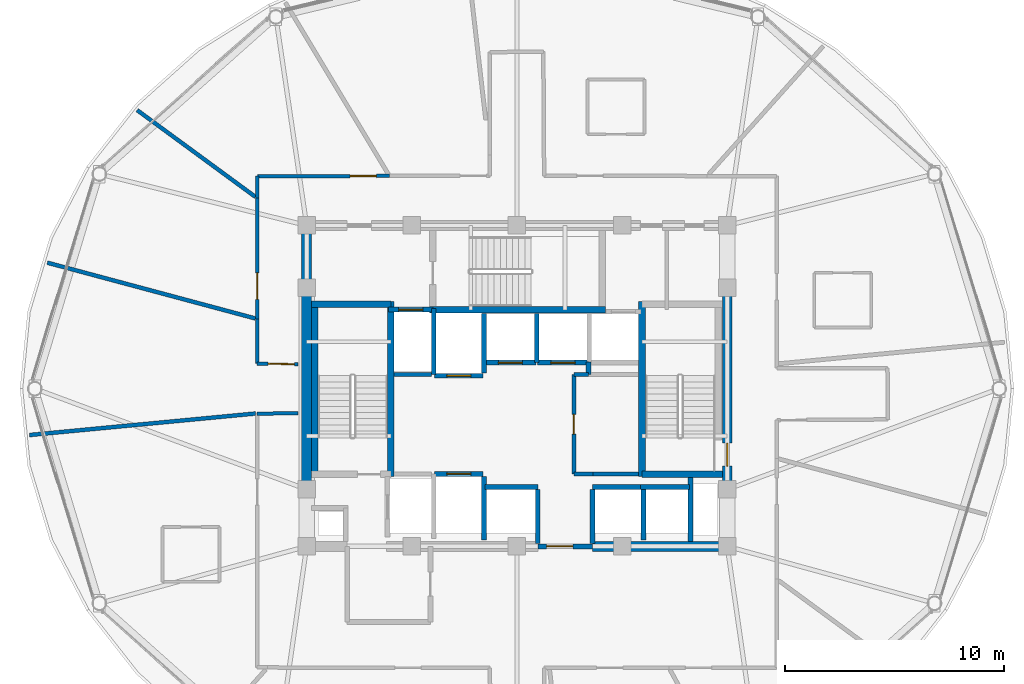
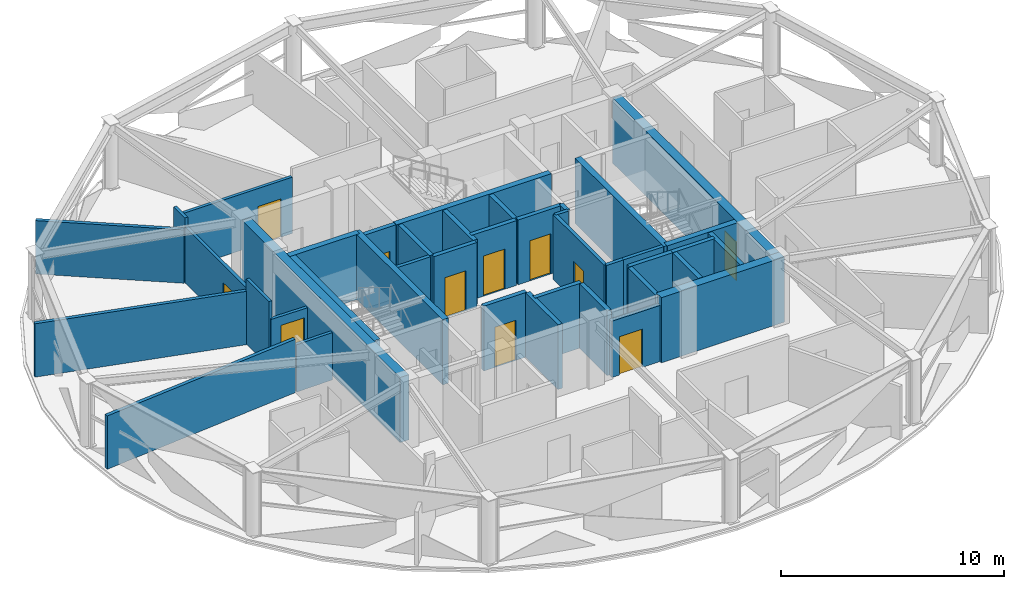
# One storey, part 22 of 28: 41 walls, 11 doors, 11 openings.
"""IFC4 building model written with IfcOpenShell, lengths in metres."""

from ifc_helpers import new_model, si_unit, direction, frame, frame_2d, origin, place, context, subcontext, project, spatial, rectangle, extrude, material, layer, layer_set, type_object, element, fill, save


model = new_model("IFC4")

# Units and contexts
model_context = context("Model", 3, precision=1e-05, world=origin(), true_north=direction((0.0, 1.0)))
body_context = subcontext(model_context, "Body", "Model", "MODEL_VIEW")
ifc_project = project(units=[si_unit("LENGTHUNIT", "METRE"), si_unit("AREAUNIT", "SQUARE_METRE"), si_unit("VOLUMEUNIT", "CUBIC_METRE"), si_unit("PLANEANGLEUNIT", "RADIAN"), si_unit("MASSUNIT", "GRAM", prefix="KILO")], contexts=[model_context])

# Site, building, storey
site_placement = place(None, origin())
site = spatial("IfcSite", under=ifc_project, at=site_placement, CompositionType="ELEMENT")
building_placement = place(site_placement, origin())
building = spatial("IfcBuilding", under=site, at=building_placement, Name="Vantalir Tower", CompositionType="ELEMENT")
storey_placement = place(building_placement, frame((0.0, 0.0, 223.64990234375)))
storey = spatial("IfcBuildingStorey", under=building, at=storey_placement, Name="L56", CompositionType="ELEMENT", Elevation=223.64990234375)

# Walls
ifc_material_1 = material(Name="Concrete C50/60", Category="concrete")
ifc_layer_1 = layer(ifc_material_1, 0.449951171875)
ifc_layer_set_1 = layer_set([ifc_layer_1], Name="Concrete C50/60")
wall_type_1 = type_object("IfcWallType", Name="WL-CORE-450", PredefinedType="SHEAR", material=ifc_layer_set_1)
wall_1_placement = place(storey_placement, frame((34.949951171875, 17.800048828125, 0.0), z_axis=(0.0, 0.0, 1.0), x_axis=(1.0, 0.0, 0.0)))
element("IfcWall", 1, at=wall_1_placement, inside=storey, type_object=wall_type_1, Name="L56 Core Shear Wall South-East", PredefinedType="SHEAR", context=body_context, shape_type="SweptSolid", body=[
    extrude(rectangle(XDim=6.375, YDim=0.449951171875, at=frame_2d((3.1875, 0.0))), origin(), (0.0, 0.0, 1.0), 3.570068359375),
])
wall_2_placement = place(storey_placement, frame((21.89990234375, 18.02490234375, 0.0), z_axis=(0.0, 0.0, 1.0), x_axis=(0.0, 1.0, 0.0)))
element("IfcWall", 2, at=wall_2_placement, inside=storey, type_object=wall_type_1, Name="L56 Core Shear Wall West", PredefinedType="SHEAR", context=body_context, shape_type="SweptSolid", body=[
    extrude(rectangle(XDim=14.2001953125, YDim=0.449951171875, at=frame_2d((7.10009765625, 0.0))), origin(), (0.0, 0.0, 1.0), 3.570068359375),
])

# Wall, opening, door
wall_3_placement = place(storey_placement, frame((41.10009765625, 18.02490234375, 0.0), z_axis=(0.0, 0.0, 1.0), x_axis=(0.0, 1.0, 0.0)))
wall_3 = element("IfcWall", 3, at=wall_3_placement, inside=storey, type_object=wall_type_1, Name="L56 Core Shear Wall East", PredefinedType="SHEAR", context=body_context, shape_type="SweptSolid", body=[
    extrude(rectangle(XDim=14.2001953125, YDim=0.449951171875, at=frame_2d((7.10009765625, 0.0))), origin(), (0.0, 0.0, 1.0), 3.570068359375),
])
opening_1_placement = place(wall_3_placement, frame((3.43505859375, 0.0, 0.0)))
opening_1 = element("IfcOpeningElement", 4, at=opening_1_placement, cuts=wall_3, Name="Opening D-ST", PredefinedType="OPENING", context=body_context, shape_type="SweptSolid", body=[
    extrude(rectangle(XDim=1.050048828125, YDim=2.10009765625, at=frame_2d((0.52490234375, 1.050048828125))), frame((0.0, 0.23486328125, 0.0), z_axis=(0.0, -1.0, 0.0), x_axis=(1.0, 0.0, 0.0)), (0.0, 0.0, 1.0), 0.469970703125),
])
ifc_material_2 = material(Name="Fire-rated steel door leaf", Category="steel")
door_type_1 = type_object("IfcDoorType", Name="DR-FIRE-STAIR-1050", OperationType="NOTDEFINED", PredefinedType="DOOR", material=ifc_material_2)
door_1_placement = place(opening_1_placement, origin())
door_1 = element("IfcDoor", 5, at=door_1_placement, inside=storey, type_object=door_type_1, Name="L56 Exit Stair ST2 Fire Door", OperationType="SINGLE_SWING_LEFT", OverallHeight=2.10009765625, OverallWidth=1.050048828125, PredefinedType="DOOR", context=body_context, shape_type="SweptSolid", body=[
    extrude(rectangle(XDim=1.050048828125, YDim=2.10009765625, at=frame_2d((0.52490234375, 1.050048828125))), frame((0.0, 0.02490234375, 0.0), z_axis=(0.0, -1.0, 0.0), x_axis=(1.0, 0.0, 0.0)), (0.0, 0.0, 1.0), 0.050048828125),
])
fill(opening_1, door_1)

ifc_material_3 = material(Name="Fire-rated hotel corridor acoustic partition", Category="gypsum")
ifc_layer_2 = layer(ifc_material_3, 0.159912109375)
ifc_layer_set_2 = layer_set([ifc_layer_2], Name="Fire-rated hotel corridor acoustic partition")
wall_type_2 = type_object("IfcWallType", Name="WL-CORR-160", PredefinedType="PARTITIONING", material=ifc_layer_set_2)
wall_4_placement = place(storey_placement, frame((21.4951171875, 26.116943359375, 0.0), z_axis=(0.0, 0.0, 1.0), x_axis=(-0.999908537082, 0.013524698532, 0.0)))
wall_4 = element("IfcWall", 6, at=wall_4_placement, inside=storey, type_object=wall_type_2, Name="L56 Corridor Partition 01", PredefinedType="PARTITIONING", context=body_context, shape_type="SweptSolid", body=[
    extrude(rectangle(XDim=1.859375, YDim=0.159912109375, at=frame_2d((0.9296875, 0.0))), origin(), (0.0, 0.0, 1.0), 2.59521484375),
])
opening_2_placement = place(wall_4_placement, frame((0.159912109375, 0.0, 0.0)))
opening_2 = element("IfcOpeningElement", 7, at=opening_2_placement, cuts=wall_4, Name="Opening D-STE", PredefinedType="OPENING", context=body_context, shape_type="SweptSolid", body=[
    extrude(rectangle(XDim=1.199951171875, YDim=2.10009765625, at=frame_2d((0.60009765625, 1.050048828125))), frame((0.0, 0.08984375, 0.0), z_axis=(0.0, -1.0, 0.0), x_axis=(1.0, 0.0, 0.0)), (0.0, 0.0, 1.0), 0.179931640625),
])
ifc_material_4 = material(Name="Solid-core teak veneer suite entrance door", Category="wood")
door_type_2 = type_object("IfcDoorType", Name="DR-SUITE-ENTRY-1200", OperationType="NOTDEFINED", PredefinedType="DOOR", material=ifc_material_4)
door_2_placement = place(opening_2_placement, origin())
door_2 = element("IfcDoor", 8, at=door_2_placement, inside=storey, type_object=door_type_2, Name="L56 Executive Sky Boardroom 06 Door", OperationType="SINGLE_SWING_RIGHT", OverallHeight=2.10009765625, OverallWidth=1.199951171875, PredefinedType="DOOR", context=body_context, shape_type="SweptSolid", body=[
    extrude(rectangle(XDim=1.199951171875, YDim=2.10009765625, at=frame_2d((0.60009765625, 1.050048828125))), frame((0.0, 0.02490234375, 0.0), z_axis=(0.0, -1.0, 0.0), x_axis=(1.0, 0.0, 0.0)), (0.0, 0.0, 1.0), 0.050048828125),
])
fill(opening_2, door_2)

# Wall
wall_5_placement = place(storey_placement, frame((19.635986328125, 26.14208984375, 0.0), z_axis=(0.0, 0.0, 1.0), x_axis=(0.000957510034, 0.999999541587, 0.0)))
element("IfcWall", 9, at=wall_5_placement, inside=storey, type_object=wall_type_2, Name="L56 Corridor Partition 02", PredefinedType="PARTITIONING", context=body_context, shape_type="SweptSolid", body=[
    extrude(rectangle(XDim=2.039794921875, YDim=0.159912109375, at=frame_2d((1.02001953125, 0.0))), origin(), (0.0, 0.0, 1.0), 3.550048828125),
])

# Wall, opening, door
wall_6_placement = place(storey_placement, frame((19.637939453125, 28.181884765625, 0.0), z_axis=(0.0, 0.0, 1.0), x_axis=(0.000930108553, 0.999999567449, 0.0)))
wall_6 = element("IfcWall", 10, at=wall_6_placement, inside=storey, type_object=wall_type_2, Name="L56 Corridor Partition 03", PredefinedType="PARTITIONING", context=body_context, shape_type="SweptSolid", body=[
    extrude(rectangle(XDim=5.51220703125, YDim=0.159912109375, at=frame_2d((2.756103515625, 0.0))), origin(), (0.0, 0.0, 1.0), 3.0810546875),
])
opening_3_placement = place(wall_6_placement, frame((0.89892578125, 0.0, 0.0)))
opening_3 = element("IfcOpeningElement", 11, at=opening_3_placement, cuts=wall_6, Name="Opening D-STE", PredefinedType="OPENING", context=body_context, shape_type="SweptSolid", body=[
    extrude(rectangle(XDim=1.199951171875, YDim=2.10009765625, at=frame_2d((0.60009765625, 1.050048828125))), frame((0.0, 0.08984375, 0.0), z_axis=(0.0, -1.0, 0.0), x_axis=(1.0, 0.0, 0.0)), (0.0, 0.0, 1.0), 0.179931640625),
])
door_3_placement = place(opening_3_placement, origin())
door_3 = element("IfcDoor", 12, at=door_3_placement, inside=storey, type_object=door_type_2, Name="L56 Club Reading Lounge 05 Door", OperationType="SINGLE_SWING_LEFT", OverallHeight=2.10009765625, OverallWidth=1.199951171875, PredefinedType="DOOR", context=body_context, shape_type="SweptSolid", body=[
    extrude(rectangle(XDim=1.199951171875, YDim=2.10009765625, at=frame_2d((0.60009765625, 1.050048828125))), frame((0.0, 0.02490234375, 0.0), z_axis=(0.0, -1.0, 0.0), x_axis=(1.0, 0.0, 0.0)), (0.0, 0.0, 1.0), 0.050048828125),
])
fill(opening_3, door_3)

# Wall
wall_7_placement = place(storey_placement, frame((19.64306640625, 33.694091796875, 0.0), z_axis=(0.0, 0.0, 1.0), x_axis=(0.000970873329, 0.999999528702, 0.0)))
element("IfcWall", 13, at=wall_7_placement, inside=storey, type_object=wall_type_2, Name="L56 Corridor Partition 04", PredefinedType="PARTITIONING", context=body_context, shape_type="SweptSolid", body=[
    extrude(rectangle(XDim=1.005859375, YDim=0.159912109375, at=frame_2d((0.5029296875, 0.0))), origin(), (0.0, 0.0, 1.0), 3.550048828125),
])

# Wall, opening, door
wall_8_placement = place(storey_placement, frame((19.64404296875, 34.699951171875, 0.0), z_axis=(0.0, 0.0, 1.0), x_axis=(0.999998879398, 0.001497064881, 0.0)))
wall_8 = element("IfcWall", 14, at=wall_8_placement, inside=storey, type_object=wall_type_2, Name="L56 Corridor Partition 05", PredefinedType="PARTITIONING", context=body_context, shape_type="SweptSolid", body=[
    extrude(rectangle(XDim=6.033935546875, YDim=0.159912109375, at=frame_2d((3.01708984375, 0.0))), origin(), (0.0, 0.0, 1.0), 3.0810546875),
])
opening_4_placement = place(wall_8_placement, frame((4.237060546875, 0.0, 0.0)))
opening_4 = element("IfcOpeningElement", 15, at=opening_4_placement, cuts=wall_8, Name="Opening D-STE", PredefinedType="OPENING", context=body_context, shape_type="SweptSolid", body=[
    extrude(rectangle(XDim=1.199951171875, YDim=2.10009765625, at=frame_2d((0.60009765625, 1.050048828125))), frame((0.0, 0.08984375, 0.0), z_axis=(0.0, -1.0, 0.0), x_axis=(1.0, 0.0, 0.0)), (0.0, 0.0, 1.0), 0.179931640625),
])
door_4_placement = place(opening_4_placement, origin())
door_4 = element("IfcDoor", 16, at=door_4_placement, inside=storey, type_object=door_type_2, Name="L56 Executive Sky Boardroom 04 Door", OperationType="SINGLE_SWING_RIGHT", OverallHeight=2.10009765625, OverallWidth=1.199951171875, PredefinedType="DOOR", context=body_context, shape_type="SweptSolid", body=[
    extrude(rectangle(XDim=1.199951171875, YDim=2.10009765625, at=frame_2d((0.60009765625, 1.050048828125))), frame((0.0, 0.02490234375, 0.0), z_axis=(0.0, -1.0, 0.0), x_axis=(1.0, 0.0, 0.0)), (0.0, 0.0, 1.0), 0.050048828125),
])
fill(opening_4, door_4)

# Walls
wall_9_placement = place(storey_placement, frame((19.635009765625, 23.85400390625, 0.0), z_axis=(0.0, 0.0, 1.0), x_axis=(0.999886107392, 0.015092125259, 0.0)))
element("IfcWall", 17, at=wall_9_placement, inside=storey, type_object=wall_type_2, Name="L56 Corridor Partition 28", PredefinedType="PARTITIONING", context=body_context, shape_type="SweptSolid", body=[
    extrude(rectangle(XDim=1.8603515625, YDim=0.159912109375, at=frame_2d((0.93017578125, 0.0))), origin(), (0.0, 0.0, 1.0), 2.59521484375),
])
ifc_material_5 = material(Name="Concrete blockwork with fireboard lining", Category="masonry")
ifc_layer_3 = layer(ifc_material_5, 0.219970703125)
ifc_layer_set_3 = layer_set([ifc_layer_3], Name="Concrete blockwork with fireboard lining")
wall_type_3 = type_object("IfcWallType", Name="WL-FFL-220", PredefinedType="PARTITIONING", material=ifc_layer_set_3)
wall_10_placement = place(storey_placement, frame((30.0, 18.080078125, 0.0), z_axis=(0.0, 0.0, 1.0), x_axis=(0.0, 1.0, 0.0)))
element("IfcWall", 18, at=wall_10_placement, inside=storey, type_object=wall_type_3, Name="L56 Service Lift SV1 East Shaft Wall", PredefinedType="PARTITIONING", context=body_context, shape_type="SweptSolid", body=[
    extrude(rectangle(XDim=2.89990234375, YDim=0.219970703125, at=frame_2d((1.449951171875, 0.0))), origin(), (0.0, 0.0, 1.0), 3.545166015625),
])
for number, where, z_axis, x_axis, name in (
    (19, (32.449951171875, 17.919921875, 0.0), (0.0, 0.0, 1.0), (0.0, 1.0, 0.0), "L56 Shuttle Lift PL-X1 East Shaft Cheek"),
    (20, (34.949951171875, 17.919921875, 0.0), (0.0, 0.0, 1.0), (0.0, 1.0, 0.0), "L56 Shuttle Lift PL-X3 West Shaft Cheek"),
):
    element("IfcWall", number, at=place(storey_placement, frame(where, z_axis=z_axis, x_axis=x_axis)), inside=storey, type_object=wall_type_3, Name=name, PredefinedType="PARTITIONING", context=body_context, shape_type="SweptSolid", body=[
        extrude(rectangle(XDim=2.469970703125, YDim=0.219970703125, at=frame_2d((1.23486328125, 0.0))), origin(), (0.0, 0.0, 1.0), 3.545166015625),
    ])
wall_11_placement = place(storey_placement, frame((37.27490234375, 18.080078125, 0.0), z_axis=(0.0, 0.0, 1.0), x_axis=(0.0, 1.0, 0.0)))
element("IfcWall", 21, at=wall_11_placement, inside=storey, type_object=wall_type_3, Name="L56 Shuttle Lift PL-X2/X3 Shaft Divider", PredefinedType="PARTITIONING", context=body_context, shape_type="SweptSolid", body=[
    extrude(rectangle(XDim=2.309814453125, YDim=0.219970703125, at=frame_2d((1.15478515625, 0.0))), origin(), (0.0, 0.0, 1.0), 3.545166015625),
])
wall_12_placement = place(storey_placement, frame((30.0, 25.7099609375, 0.0), z_axis=(0.0, 0.0, 1.0), x_axis=(0.0, 1.0, 0.0)))
element("IfcWall", 22, at=wall_12_placement, inside=storey, type_object=wall_type_3, Name="L56 Service Lift SV2 East Shaft Wall", PredefinedType="PARTITIONING", context=body_context, shape_type="SweptSolid", body=[
    extrude(rectangle(XDim=2.72998046875, YDim=0.219970703125, at=frame_2d((1.364990234375, 0.0))), origin(), (0.0, 0.0, 1.0), 3.545166015625),
])
wall_13_placement = place(storey_placement, frame((32.39990234375, 26.199951171875, 0.0), z_axis=(0.0, 0.0, 1.0), x_axis=(0.0, 1.0, 0.0)))
element("IfcWall", 23, at=wall_13_placement, inside=storey, type_object=wall_type_3, Name="L56 High-Rise Lift PL-H1/H2 Shaft Divider", PredefinedType="PARTITIONING", context=body_context, shape_type="SweptSolid", body=[
    extrude(rectangle(XDim=2.239990234375, YDim=0.219970703125, at=frame_2d((1.1201171875, 0.0))), origin(), (0.0, 0.0, 1.0), 3.545166015625),
])

# Wall, opening, door
wall_14_placement = place(storey_placement, frame((32.449951171875, 17.800048828125, 0.0), z_axis=(0.0, 0.0, 1.0), x_axis=(1.0, 0.0, 0.0)))
wall_14 = element("IfcWall", 24, at=wall_14_placement, inside=storey, type_object=wall_type_3, Name="L56 Passenger Lift Lobby South Wall", PredefinedType="PARTITIONING", context=body_context, shape_type="SweptSolid", body=[
    extrude(rectangle(XDim=2.5, YDim=0.219970703125, at=frame_2d((1.25, 0.0))), origin(), (0.0, 0.0, 1.0), 3.0810546875),
])
opening_5_placement = place(wall_14_placement, frame((0.39990234375, 0.0, 0.0)))
opening_5 = element("IfcOpeningElement", 25, at=opening_5_placement, cuts=wall_14, Name="Opening D-STE", PredefinedType="OPENING", context=body_context, shape_type="SweptSolid", body=[
    extrude(rectangle(XDim=1.199951171875, YDim=2.10009765625, at=frame_2d((0.60009765625, 1.050048828125))), frame((0.0, 0.119873046875, 0.0), z_axis=(0.0, -1.0, 0.0), x_axis=(1.0, 0.0, 0.0)), (0.0, 0.0, 1.0), 0.239990234375),
])
door_5_placement = place(opening_5_placement, origin())
door_5 = element("IfcDoor", 26, at=door_5_placement, inside=storey, type_object=door_type_2, Name="L56 Passenger Lift Lobby Concourse Door", OperationType="SINGLE_SWING_LEFT", OverallHeight=2.10009765625, OverallWidth=1.199951171875, PredefinedType="DOOR", context=body_context, shape_type="SweptSolid", body=[
    extrude(rectangle(XDim=1.199951171875, YDim=2.10009765625, at=frame_2d((0.60009765625, 1.050048828125))), frame((0.0, 0.02490234375, 0.0), z_axis=(0.0, -1.0, 0.0), x_axis=(1.0, 0.0, 0.0)), (0.0, 0.0, 1.0), 0.050048828125),
])
fill(opening_5, door_5)

# Wall
wall_15_placement = place(storey_placement, frame((39.419921875, 18.02490234375, 0.0), z_axis=(0.0, 0.0, 1.0), x_axis=(0.0, 1.0, 0.0)))
element("IfcWall", 27, at=wall_15_placement, inside=storey, type_object=wall_type_3, Name="L56 East MEP Riser Wall W", PredefinedType="PARTITIONING", context=body_context, shape_type="SweptSolid", body=[
    extrude(rectangle(XDim=2.925048828125, YDim=0.219970703125, at=frame_2d((1.46240234375, 0.0))), origin(), (0.0, 0.0, 1.0), 3.550048828125),
])

# Wall, opening, door
wall_16_placement = place(storey_placement, frame((25.639892578125, 28.610107421875, 0.0), z_axis=(0.0, 0.0, 1.0), x_axis=(1.0, 0.0, 0.0)))
wall_16 = element("IfcWall", 28, at=wall_16_placement, inside=storey, type_object=wall_type_3, Name="L56 Lift FL2 Shaft Front Wall", PredefinedType="PARTITIONING", context=body_context, shape_type="SweptSolid", body=[
    extrude(rectangle(XDim=2.02001953125, YDim=0.219970703125, at=frame_2d((1.010009765625, 0.0))), origin(), (0.0, 0.0, 1.0), 3.550048828125),
])
opening_6_placement = place(wall_16_placement, frame((0.4599609375, 0.0, 0.0)))
opening_6 = element("IfcOpeningElement", 29, at=opening_6_placement, cuts=wall_16, Name="Opening LD-FL2", PredefinedType="OPENING", context=body_context, shape_type="SweptSolid", body=[
    extrude(rectangle(XDim=1.10009765625, YDim=2.199951171875, at=frame_2d((0.550048828125, 1.10009765625))), frame((0.0, 0.119873046875, 0.0), z_axis=(0.0, -1.0, 0.0), x_axis=(1.0, 0.0, 0.0)), (0.0, 0.0, 1.0), 0.239990234375),
])
ifc_material_6 = material(Name="Brushed stainless-steel sliding lift landing door", Category="steel")
door_type_3 = type_object("IfcDoorType", Name="DR-LIFT-LANDING-1100", OperationType="DOUBLE_DOOR_SLIDING", PredefinedType="DOOR", material=ifc_material_6)
door_6_placement = place(opening_6_placement, origin())
door_6 = element("IfcDoor", 30, at=door_6_placement, inside=storey, type_object=door_type_3, Name="L56 Lift Landing Door FL2", OperationType="DOUBLE_DOOR_SLIDING", OverallHeight=2.199951171875, OverallWidth=1.10009765625, PredefinedType="DOOR", context=body_context, shape_type="SweptSolid", body=[
    extrude(rectangle(XDim=1.10009765625, YDim=2.199951171875, at=frame_2d((0.550048828125, 1.10009765625))), frame((0.0, 0.02490234375, 0.0), z_axis=(0.0, -1.0, 0.0), x_axis=(1.0, 0.0, 0.0)), (0.0, 0.0, 1.0), 0.050048828125),
])
fill(opening_6, door_6)

wall_17_placement = place(storey_placement, frame((27.739990234375, 21.110107421875, 0.0), z_axis=(0.0, 0.0, 1.0), x_axis=(1.0, 0.0, 0.0)))
wall_17 = element("IfcWall", 31, at=wall_17_placement, inside=storey, type_object=wall_type_3, Name="L56 Lift SV1 Shaft Front Wall", PredefinedType="PARTITIONING", context=body_context, shape_type="SweptSolid", body=[
    extrude(rectangle(XDim=2.219970703125, YDim=0.219970703125, at=frame_2d((1.10986328125, 0.0))), origin(), (0.0, 0.0, 1.0), 3.550048828125),
])
opening_7_placement = place(wall_17_placement, frame((0.56005859375, 0.0, 0.0)))
opening_7 = element("IfcOpeningElement", 32, at=opening_7_placement, cuts=wall_17, Name="Opening LD-SV1", PredefinedType="OPENING", context=body_context, shape_type="SweptSolid", body=[
    extrude(rectangle(XDim=1.10009765625, YDim=2.199951171875, at=frame_2d((0.550048828125, 1.10009765625))), frame((0.0, 0.119873046875, 0.0), z_axis=(0.0, -1.0, 0.0), x_axis=(1.0, 0.0, 0.0)), (0.0, 0.0, 1.0), 0.239990234375),
])
door_7_placement = place(opening_7_placement, origin())
door_7 = element("IfcDoor", 33, at=door_7_placement, inside=storey, type_object=door_type_3, Name="L56 Lift Landing Door SV1", OperationType="DOUBLE_DOOR_SLIDING", OverallHeight=2.199951171875, OverallWidth=1.10009765625, PredefinedType="DOOR", context=body_context, shape_type="SweptSolid", body=[
    extrude(rectangle(XDim=1.10009765625, YDim=2.199951171875, at=frame_2d((0.550048828125, 1.10009765625))), frame((0.0, 0.02490234375, 0.0), z_axis=(0.0, -1.0, 0.0), x_axis=(1.0, 0.0, 0.0)), (0.0, 0.0, 1.0), 0.050048828125),
])
fill(opening_7, door_7)

wall_18_placement = place(storey_placement, frame((27.739990234375, 25.590087890625, 0.0), z_axis=(0.0, 0.0, 1.0), x_axis=(1.0, 0.0, 0.0)))
wall_18 = element("IfcWall", 34, at=wall_18_placement, inside=storey, type_object=wall_type_3, Name="L56 Lift SV2 Shaft Front Wall", PredefinedType="PARTITIONING", context=body_context, shape_type="SweptSolid", body=[
    extrude(rectangle(XDim=2.219970703125, YDim=0.219970703125, at=frame_2d((1.10986328125, 0.0))), origin(), (0.0, 0.0, 1.0), 3.550048828125),
])
opening_8_placement = place(wall_18_placement, frame((0.56005859375, 0.0, 0.0)))
opening_8 = element("IfcOpeningElement", 35, at=opening_8_placement, cuts=wall_18, Name="Opening LD-SV2", PredefinedType="OPENING", context=body_context, shape_type="SweptSolid", body=[
    extrude(rectangle(XDim=1.10009765625, YDim=2.199951171875, at=frame_2d((0.550048828125, 1.10009765625))), frame((0.0, 0.119873046875, 0.0), z_axis=(0.0, -1.0, 0.0), x_axis=(1.0, 0.0, 0.0)), (0.0, 0.0, 1.0), 0.239990234375),
])
door_8_placement = place(opening_8_placement, frame((1.10009765625, 0.0, 0.0), z_axis=(0.0, 0.0, 1.0), x_axis=(-1.0, 0.0, 0.0)))
door_8 = element("IfcDoor", 36, at=door_8_placement, inside=storey, type_object=door_type_3, Name="L56 Lift Landing Door SV2", OperationType="DOUBLE_DOOR_SLIDING", OverallHeight=2.199951171875, OverallWidth=1.10009765625, PredefinedType="DOOR", context=body_context, shape_type="SweptSolid", body=[
    extrude(rectangle(XDim=1.10009765625, YDim=2.199951171875, at=frame_2d((0.550048828125, 1.10009765625))), frame((0.0, 0.02490234375, 0.0), z_axis=(0.0, -1.0, 0.0), x_axis=(1.0, 0.0, 0.0)), (0.0, 0.0, 1.0), 0.050048828125),
])
fill(opening_8, door_8)

# Walls
wall_19_placement = place(storey_placement, frame((30.0400390625, 20.510009765625, 0.0), z_axis=(0.0, 0.0, 1.0), x_axis=(1.0, 0.0, 0.0)))
element("IfcWall", 37, at=wall_19_placement, inside=storey, type_object=wall_type_3, Name="L56 Lift PL-X1 Shaft Front Wall", PredefinedType="PARTITIONING", context=body_context, shape_type="SweptSolid", body=[
    extrude(rectangle(XDim=2.419921875, YDim=0.219970703125, at=frame_2d((1.2099609375, 0.0))), origin(), (0.0, 0.0, 1.0), 3.550048828125),
])
for number, where, z_axis, x_axis, name in (
    (38, (37.139892578125, 20.510009765625, 0.0), (0.0, 0.0, 1.0), (1.0, 0.0, 0.0), "L56 Lift PL-X2 Shaft Rear Wall"),
    (39, (34.93994140625, 20.510009765625, 0.0), (0.0, 0.0, 1.0), (1.0, 0.0, 0.0), "L56 Lift PL-X3 Shaft Front Wall"),
):
    element("IfcWall", number, at=place(storey_placement, frame(where, z_axis=z_axis, x_axis=x_axis)), inside=storey, type_object=wall_type_3, Name=name, PredefinedType="PARTITIONING", context=body_context, shape_type="SweptSolid", body=[
        extrude(rectangle(XDim=2.239990234375, YDim=0.219970703125, at=frame_2d((1.1201171875, 0.0))), origin(), (0.0, 0.0, 1.0), 3.550048828125),
    ])

# Wall, opening, door
wall_20_placement = place(storey_placement, frame((30.0400390625, 26.18994140625, 0.0), z_axis=(0.0, 0.0, 1.0), x_axis=(1.0, 0.0, 0.0)))
wall_20 = element("IfcWall", 40, at=wall_20_placement, inside=storey, type_object=wall_type_3, Name="L56 Lift PL-H1 Shaft Front Wall", PredefinedType="PARTITIONING", context=body_context, shape_type="SweptSolid", body=[
    extrude(rectangle(XDim=2.320068359375, YDim=0.219970703125, at=frame_2d((1.16015625, 0.0))), origin(), (0.0, 0.0, 1.0), 3.550048828125),
])
opening_9_placement = place(wall_20_placement, frame((0.610107421875, 0.0, 0.0)))
opening_9 = element("IfcOpeningElement", 41, at=opening_9_placement, cuts=wall_20, Name="Opening LD-PL-H1", PredefinedType="OPENING", context=body_context, shape_type="SweptSolid", body=[
    extrude(rectangle(XDim=1.10009765625, YDim=2.199951171875, at=frame_2d((0.550048828125, 1.10009765625))), frame((0.0, 0.119873046875, 0.0), z_axis=(0.0, -1.0, 0.0), x_axis=(1.0, 0.0, 0.0)), (0.0, 0.0, 1.0), 0.239990234375),
])
door_9_placement = place(opening_9_placement, frame((1.10009765625, 0.0, 0.0), z_axis=(0.0, 0.0, 1.0), x_axis=(-1.0, 0.0, 0.0)))
door_9 = element("IfcDoor", 42, at=door_9_placement, inside=storey, type_object=door_type_3, Name="L56 Lift Landing Door PL-H1", OperationType="DOUBLE_DOOR_SLIDING", OverallHeight=2.199951171875, OverallWidth=1.10009765625, PredefinedType="DOOR", context=body_context, shape_type="SweptSolid", body=[
    extrude(rectangle(XDim=1.10009765625, YDim=2.199951171875, at=frame_2d((0.550048828125, 1.10009765625))), frame((0.0, 0.02490234375, 0.0), z_axis=(0.0, -1.0, 0.0), x_axis=(1.0, 0.0, 0.0)), (0.0, 0.0, 1.0), 0.050048828125),
])
fill(opening_9, door_9)

wall_21_placement = place(storey_placement, frame((32.43994140625, 26.18994140625, 0.0), z_axis=(0.0, 0.0, 1.0), x_axis=(1.0, 0.0, 0.0)))
wall_21 = element("IfcWall", 43, at=wall_21_placement, inside=storey, type_object=wall_type_3, Name="L56 Lift PL-H2 Shaft Front Wall", PredefinedType="PARTITIONING", context=body_context, shape_type="SweptSolid", body=[
    extrude(rectangle(XDim=2.320068359375, YDim=0.219970703125, at=frame_2d((1.16015625, 0.0))), origin(), (0.0, 0.0, 1.0), 3.550048828125),
])
opening_10_placement = place(wall_21_placement, frame((0.610107421875, 0.0, 0.0)))
opening_10 = element("IfcOpeningElement", 44, at=opening_10_placement, cuts=wall_21, Name="Opening LD-PL-H2", PredefinedType="OPENING", context=body_context, shape_type="SweptSolid", body=[
    extrude(rectangle(XDim=1.10009765625, YDim=2.199951171875, at=frame_2d((0.550048828125, 1.10009765625))), frame((0.0, 0.119873046875, 0.0), z_axis=(0.0, -1.0, 0.0), x_axis=(1.0, 0.0, 0.0)), (0.0, 0.0, 1.0), 0.239990234375),
])
door_10_placement = place(opening_10_placement, frame((1.10009765625, 0.0, 0.0), z_axis=(0.0, 0.0, 1.0), x_axis=(-1.0, 0.0, 0.0)))
door_10 = element("IfcDoor", 45, at=door_10_placement, inside=storey, type_object=door_type_3, Name="L56 Lift Landing Door PL-H2", OperationType="DOUBLE_DOOR_SLIDING", OverallHeight=2.199951171875, OverallWidth=1.10009765625, PredefinedType="DOOR", context=body_context, shape_type="SweptSolid", body=[
    extrude(rectangle(XDim=1.10009765625, YDim=2.199951171875, at=frame_2d((0.550048828125, 1.10009765625))), frame((0.0, 0.02490234375, 0.0), z_axis=(0.0, -1.0, 0.0), x_axis=(1.0, 0.0, 0.0)), (0.0, 0.0, 1.0), 0.050048828125),
])
fill(opening_10, door_10)

# Walls
wall_22_placement = place(storey_placement, frame((27.699951171875, 25.64990234375, 0.0), z_axis=(0.0, 0.0, 1.0), x_axis=(0.0, 1.0, 0.0)))
element("IfcWall", 46, at=wall_22_placement, inside=storey, type_object=wall_type_3, Name="L56 Fire Lift FL2 Dividing Wall", PredefinedType="PARTITIONING", context=body_context, shape_type="SweptSolid", body=[
    extrude(rectangle(XDim=3.0, YDim=0.219970703125, at=frame_2d((1.5, 0.0))), origin(), (0.0, 0.0, 1.0), 3.550048828125),
])
wall_23_placement = place(storey_placement, frame((34.760009765625, 25.64990234375, 0.0), z_axis=(0.0, 0.0, 1.0), x_axis=(0.0, 1.0, 0.0)))
element("IfcWall", 47, at=wall_23_placement, inside=storey, type_object=wall_type_3, Name="L56 High-Rise Shaft Shoulder Wall", PredefinedType="PARTITIONING", context=body_context, shape_type="SweptSolid", body=[
    extrude(rectangle(XDim=0.570068359375, YDim=0.219970703125, at=frame_2d((0.28515625, 0.0))), origin(), (0.0, 0.0, 1.0), 3.550048828125),
])
ifc_material_7 = material(Name="Twin-stud acoustic fire-rated gypsum partition", Category="gypsum")
ifc_layer_4 = layer(ifc_material_7, 0.179931640625)
ifc_layer_set_4 = layer_set([ifc_layer_4], Name="Twin-stud acoustic fire-rated gypsum partition")
wall_type_4 = type_object("IfcWallType", Name="WL-GUEST-180", PredefinedType="PARTITIONING", material=ifc_layer_set_4)
wall_24_placement = place(storey_placement, frame((25.889892578125, 25.64990234375, 0.0), z_axis=(0.0, 0.0, 1.0), x_axis=(1.0, 0.0, 0.0)))
element("IfcWall", 48, at=wall_24_placement, inside=storey, type_object=wall_type_4, Name="L56 Freed West Core North Wall", PredefinedType="PARTITIONING", context=body_context, shape_type="SweptSolid", body=[
    extrude(rectangle(XDim=1.7001953125, YDim=0.179931640625, at=frame_2d((0.85009765625, 0.0))), origin(), (0.0, 0.0, 1.0), 3.550048828125),
])
wall_25_placement = place(storey_placement, frame((34.97998046875, 21.10009765625, 0.0), z_axis=(0.0, 0.0, 1.0), x_axis=(1.0, 0.0, 0.0)))
element("IfcWall", 49, at=wall_25_placement, inside=storey, type_object=wall_type_4, Name="L56 Freed East Core South Wall", PredefinedType="PARTITIONING", context=body_context, shape_type="SweptSolid", body=[
    extrude(rectangle(XDim=2.080078125, YDim=0.179931640625, at=frame_2d((1.0400390625, 0.0))), origin(), (0.0, 0.0, 1.0), 3.550048828125),
])
wall_26_placement = place(storey_placement, frame((34.10009765625, 21.10009765625, 0.0), z_axis=(0.0, 0.0, 1.0), x_axis=(1.0, 0.0, 0.0)))
element("IfcWall", 50, at=wall_26_placement, inside=storey, type_object=wall_type_4, Name="L56 East Core Room South Return", PredefinedType="PARTITIONING", context=body_context, shape_type="SweptSolid", body=[
    extrude(rectangle(XDim=0.8798828125, YDim=0.179931640625, at=frame_2d((0.43994140625, 0.0))), origin(), (0.0, 0.0, 1.0), 3.550048828125),
])
wall_27_placement = place(storey_placement, frame((34.10009765625, 25.64990234375, 0.0), z_axis=(0.0, 0.0, 1.0), x_axis=(1.0, 0.0, 0.0)))
element("IfcWall", 51, at=wall_27_placement, inside=storey, type_object=wall_type_4, Name="L56 East Core Room North Return", PredefinedType="PARTITIONING", context=body_context, shape_type="SweptSolid", body=[
    extrude(rectangle(XDim=0.659912109375, YDim=0.179931640625, at=frame_2d((0.330078125, 0.0))), origin(), (0.0, 0.0, 1.0), 3.550048828125),
])

# Wall, opening, door
wall_28_placement = place(storey_placement, frame((34.10009765625, 21.10009765625, 0.0), z_axis=(0.0, 0.0, 1.0), x_axis=(0.0, 1.0, 0.0)))
wall_28 = element("IfcWall", 52, at=wall_28_placement, inside=storey, type_object=wall_type_4, Name="L56 East Core Room West Wall", PredefinedType="PARTITIONING", context=body_context, shape_type="SweptSolid", body=[
    extrude(rectangle(XDim=4.5498046875, YDim=0.179931640625, at=frame_2d((2.27490234375, 0.0))), origin(), (0.0, 0.0, 1.0), 3.550048828125),
])
opening_11_placement = place(wall_28_placement, frame((1.824951171875, 0.0, 0.0)))
opening_11 = element("IfcOpeningElement", 53, at=opening_11_placement, cuts=wall_28, Name="Opening D-CR", PredefinedType="OPENING", context=body_context, shape_type="SweptSolid", body=[
    extrude(rectangle(XDim=0.89990234375, YDim=2.10009765625, at=frame_2d((0.449951171875, 1.050048828125))), frame((0.0, 0.099853515625, 0.0), z_axis=(0.0, -1.0, 0.0), x_axis=(1.0, 0.0, 0.0)), (0.0, 0.0, 1.0), 0.199951171875),
])
ifc_material_8 = material(Name="Fire-rated steel core service door", Category="steel")
door_type_4 = type_object("IfcDoorType", Name="DR-CORE-SERV-900", OperationType="NOTDEFINED", PredefinedType="DOOR", material=ifc_material_8)
door_11_placement = place(opening_11_placement, frame((0.89990234375, 0.0, 0.0), z_axis=(0.0, 0.0, 1.0), x_axis=(-1.0, 0.0, 0.0)))
door_11 = element("IfcDoor", 54, at=door_11_placement, inside=storey, type_object=door_type_4, Name="L56 Core Linen Store Door", OperationType="SINGLE_SWING_LEFT", OverallHeight=2.10009765625, OverallWidth=0.89990234375, PredefinedType="DOOR", context=body_context, shape_type="SweptSolid", body=[
    extrude(rectangle(XDim=0.89990234375, YDim=2.10009765625, at=frame_2d((0.449951171875, 1.050048828125))), frame((0.0, 0.02490234375, 0.0), z_axis=(0.0, -1.0, 0.0), x_axis=(1.0, 0.0, 0.0)), (0.0, 0.0, 1.0), 0.050048828125),
])
fill(opening_11, door_11)

# Walls
wall_29_placement = place(storey_placement, frame((19.56005859375, 33.7548828125, 0.0), z_axis=(0.0, 0.0, 1.0), x_axis=(-0.806449032178, 0.591303609409, 0.0)))
element("IfcWall", 55, at=wall_29_placement, inside=storey, type_object=wall_type_4, Name="L56 Radial Suite Partition 05", PredefinedType="PARTITIONING", context=body_context, shape_type="SweptSolid", body=[
    extrude(rectangle(XDim=6.697509765625, YDim=0.179931640625, at=frame_2d((3.3486328125, 0.0))), origin(), (0.0, 0.0, 1.0), 2.925048828125),
])
wall_30_placement = place(storey_placement, frame((19.56005859375, 28.202880859375, 0.0), z_axis=(0.0, 0.0, 1.0), x_axis=(-0.96588509942, 0.25897099204, 0.0)))
element("IfcWall", 56, at=wall_30_placement, inside=storey, type_object=wall_type_4, Name="L56 Radial Suite Partition 06", PredefinedType="PARTITIONING", context=body_context, shape_type="SweptSolid", body=[
    extrude(rectangle(XDim=9.83544921875, YDim=0.179931640625, at=frame_2d((4.917724609375, 0.0))), origin(), (0.0, 0.0, 1.0), 2.925048828125),
])
wall_31_placement = place(storey_placement, frame((19.56103515625, 23.864013671875, 0.0), z_axis=(0.0, 0.0, 1.0), x_axis=(-0.995500342093, -0.094757948973, 0.0)))
element("IfcWall", 57, at=wall_31_placement, inside=storey, type_object=wall_type_4, Name="L56 Radial Suite Partition 07", PredefinedType="PARTITIONING", context=body_context, shape_type="SweptSolid", body=[
    extrude(rectangle(XDim=10.362548828125, YDim=0.179931640625, at=frame_2d((5.18115234375, 0.0))), origin(), (0.0, 0.0, 1.0), 2.925048828125),
])
ifc_layer_5 = layer(ifc_material_1, 0.300048828125)
ifc_layer_set_5 = layer_set([ifc_layer_5], Name="Concrete C50/60")
wall_type_5 = type_object("IfcWallType", Name="WL-STAIR-300", PredefinedType="SHEAR", material=ifc_layer_set_5)
wall_32_placement = place(storey_placement, frame((22.125, 28.85009765625, 0.0), z_axis=(0.0, 0.0, 1.0), x_axis=(1.0, 0.0, 0.0)))
element("IfcWall", 58, at=wall_32_placement, inside=storey, type_object=wall_type_5, Name="L56 Stair ST1 North Wall", PredefinedType="SHEAR", context=body_context, shape_type="SweptSolid", body=[
    extrude(rectangle(XDim=3.614990234375, YDim=0.300048828125, at=frame_2d((1.8076171875, 0.0))), origin(), (0.0, 0.0, 1.0), 3.570068359375),
])
wall_33_placement = place(storey_placement, frame((25.739990234375, 20.97998046875, 0.0), z_axis=(0.0, 0.0, 1.0), x_axis=(0.0, 1.0, 0.0)))
element("IfcWall", 59, at=wall_33_placement, inside=storey, type_object=wall_type_5, Name="L56 Stair ST1 East Wall", PredefinedType="SHEAR", context=body_context, shape_type="SweptSolid", body=[
    extrude(rectangle(XDim=7.989990234375, YDim=0.300048828125, at=frame_2d((3.9951171875, 0.0))), origin(), (0.0, 0.0, 1.0), 3.570068359375),
])
wall_34_placement = place(storey_placement, frame((22.260009765625, 21.10009765625, 0.0), z_axis=(0.0, 0.0, 1.0), x_axis=(0.0, 1.0, 0.0)))
element("IfcWall", 60, at=wall_34_placement, inside=storey, type_object=wall_type_5, Name="L56 Stair ST1 West Liner Wall", PredefinedType="SHEAR", context=body_context, shape_type="SweptSolid", body=[
    extrude(rectangle(XDim=7.75, YDim=0.300048828125, at=frame_2d((3.875, 0.0))), origin(), (0.0, 0.0, 1.0), 3.570068359375),
])
wall_35_placement = place(storey_placement, frame((37.2099609375, 21.10009765625, 0.0), z_axis=(0.0, 0.0, 1.0), x_axis=(1.0, 0.0, 0.0)))
element("IfcWall", 61, at=wall_35_placement, inside=storey, type_object=wall_type_5, Name="L56 Stair ST2 South Wall", PredefinedType="SHEAR", context=body_context, shape_type="SweptSolid", body=[
    extrude(rectangle(XDim=3.6650390625, YDim=0.300048828125, at=frame_2d((1.83251953125, 0.0))), origin(), (0.0, 0.0, 1.0), 3.570068359375),
])
wall_36_placement = place(storey_placement, frame((37.2099609375, 20.97998046875, 0.0), z_axis=(0.0, 0.0, 1.0), x_axis=(0.0, 1.0, 0.0)))
element("IfcWall", 62, at=wall_36_placement, inside=storey, type_object=wall_type_5, Name="L56 Stair ST2 West Wall", PredefinedType="SHEAR", context=body_context, shape_type="SweptSolid", body=[
    extrude(rectangle(XDim=7.989990234375, YDim=0.300048828125, at=frame_2d((3.9951171875, 0.0))), origin(), (0.0, 0.0, 1.0), 3.570068359375),
])
wall_37_placement = place(storey_placement, frame((27.510009765625, 28.60009765625, 0.0), z_axis=(0.0, 0.0, 1.0), x_axis=(1.0, 0.0, 0.0)))
element("IfcWall", 63, at=wall_37_placement, inside=storey, type_object=wall_type_5, Name="L56 Stair ST3 South Wall", PredefinedType="SHEAR", context=body_context, shape_type="SweptSolid", body=[
    extrude(rectangle(XDim=8.030029296875, YDim=0.300048828125, at=frame_2d((4.01513671875, 0.0))), origin(), (0.0, 0.0, 1.0), 3.570068359375),
])

save(model, "model.ifc")
